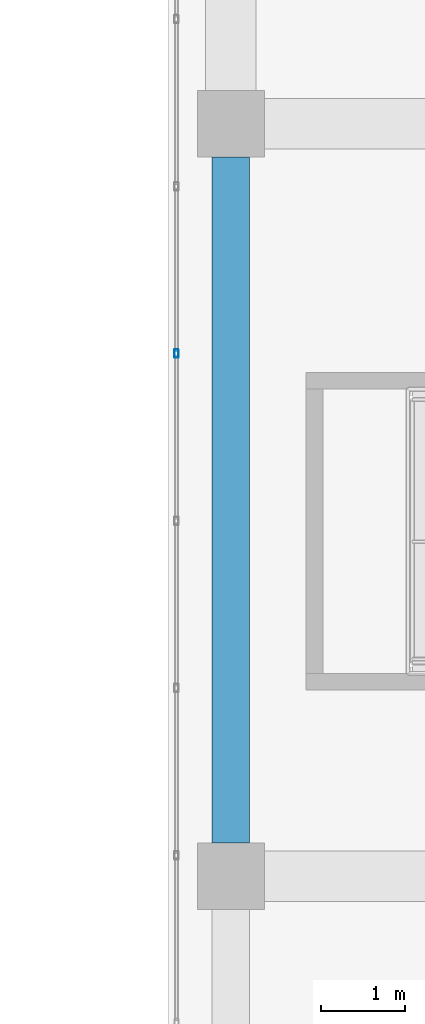
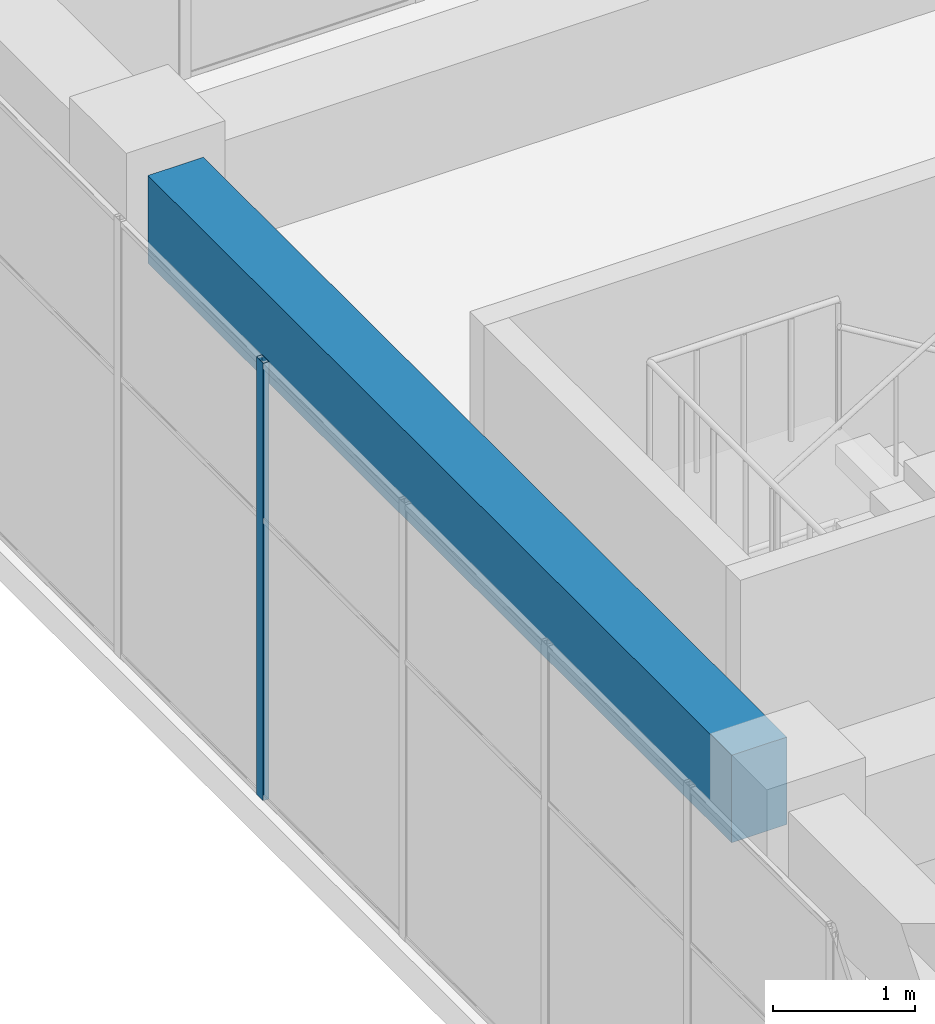
# One storey, part 29 of 65: 1 beam, 1 member, 1 element without a shape of its own.
"""IFC4 building model written with IfcOpenShell, lengths in metres."""

from ifc_helpers import new_model, si_unit, direction, frame, origin, origin_2d, place, context, subcontext, project, spatial, rectangle, hollow_rectangle, extrude, material, layer, layer_set, material_profile, profile_set, type_object, element, aggregate, save


model = new_model("IFC4")

# Units and contexts
model_context = context("Model", 3, precision=1e-05, world=origin(), true_north=direction((0.0, 1.0)))
body_context = subcontext(model_context, "Body", "Model", "MODEL_VIEW")
ifc_project = project(units=[si_unit("LENGTHUNIT", "METRE"), si_unit("AREAUNIT", "SQUARE_METRE"), si_unit("VOLUMEUNIT", "CUBIC_METRE"), si_unit("PLANEANGLEUNIT", "RADIAN"), si_unit("MASSUNIT", "GRAM", prefix="KILO")], contexts=[model_context])

# Site, building, storey
site_placement = place(None, origin())
site = spatial("IfcSite", under=ifc_project, at=site_placement, CompositionType="ELEMENT")
building_placement = place(site_placement, origin())
building = spatial("IfcBuilding", under=site, at=building_placement, Name="Tuart Plaza Theatre", CompositionType="ELEMENT")
storey_placement = place(building_placement, frame((0.0, 0.0, 9.5)))
storey = spatial("IfcBuildingStorey", under=building, at=storey_placement, Name="L02", CompositionType="ELEMENT", Elevation=9.5)

# Beam
ifc_material_1 = material(Name="Concrete N40 (40 MPa)", Category="concrete")
ifc_material_profile_1 = material_profile(ifc_material_1, rectangle(XDim=0.449951171875, YDim=0.75, at=origin_2d()), Name="BEAM 450x750 Concrete N40 (40 MPa)")
ifc_profile_set_1 = profile_set([ifc_material_profile_1], Name="Concrete N40 (40 MPa)")
beam_type = type_object("IfcBeamType", Name="BEAM 450x750 Concrete N40 (40 MPa)", PredefinedType="BEAM", material=ifc_profile_set_1)
beam_placement = place(storey_placement, frame((114.0, 83.39990234375, 3.375), z_axis=(0.0, 1.0, 0.0), x_axis=(-1.0, 0.0, 0.0)))
element("IfcBeam", 1, at=beam_placement, inside=storey, type_object=beam_type, Name="RB168", PredefinedType="BEAM", context=body_context, shape_type="SweptSolid", body=[
    extrude(rectangle(XDim=0.449951171875, YDim=0.75, at=origin_2d()), origin(), (0.0, 0.0, 1.0), 8.2001953125),
])

# Curtain wall, member
ifc_material_2 = material(Name="Aluminium and glass", Category="aluminium")
ifc_layer = layer(ifc_material_2, 0.10009765625)
ifc_layer_set = layer_set([ifc_layer], Name="CURTAIN WALL 2000 module")
curtain_wall_type = type_object("IfcCurtainWallType", Name="CURTAIN WALL 2000 module", PredefinedType="NOTDEFINED", material=ifc_layer_set)
curtain_wall_placement = place(storey_placement, origin())
curtain_wall = element("IfcCurtainWall", 2, at=curtain_wall_placement, inside=storey, type_object=curtain_wall_type, Name="CW73", PredefinedType="NOTDEFINED")
ifc_material_3 = material(Name="Aluminium 6063-T5", Category="aluminium")
ifc_material_profile_2 = material_profile(ifc_material_3, hollow_rectangle(XDim=0.050048828125, YDim=0.10009765625, WallThickness=0.00390625, InnerFilletRadius=0.00390625, OuterFilletRadius=0.008056640625, at=origin_2d()), Name="RHS 100x50x4")
ifc_profile_set_2 = profile_set([ifc_material_profile_2], Name="Aluminium 6063-T5")
member_type = type_object("IfcMemberType", Name="MULLION RHS 100x50x4", PredefinedType="MULLION", material=ifc_profile_set_2)
member_placement = place(storey_placement, frame((113.35009765625, 89.25, 0.0), z_axis=(0.0, 0.0, 1.0), x_axis=(1.0, 0.0, 0.0)))
member = element("IfcMember", 3, at=member_placement, type_object=member_type, Name="CW73 mullion 5", PredefinedType="MULLION", context=body_context, shape_type="SweptSolid", body=[
    extrude(hollow_rectangle(XDim=0.050048828125, YDim=0.10009765625, WallThickness=0.00390625, InnerFilletRadius=0.00390625, OuterFilletRadius=0.008056640625, at=origin_2d()), origin(), (0.0, 0.0, 1.0), 3.75),
])
aggregate(curtain_wall, [member])

save(model, "model.ifc")
